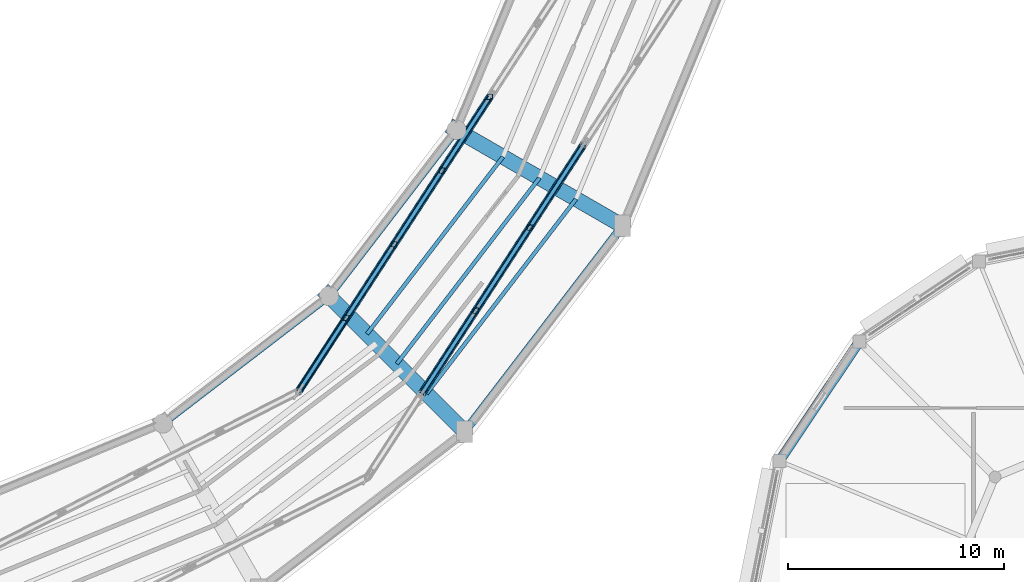
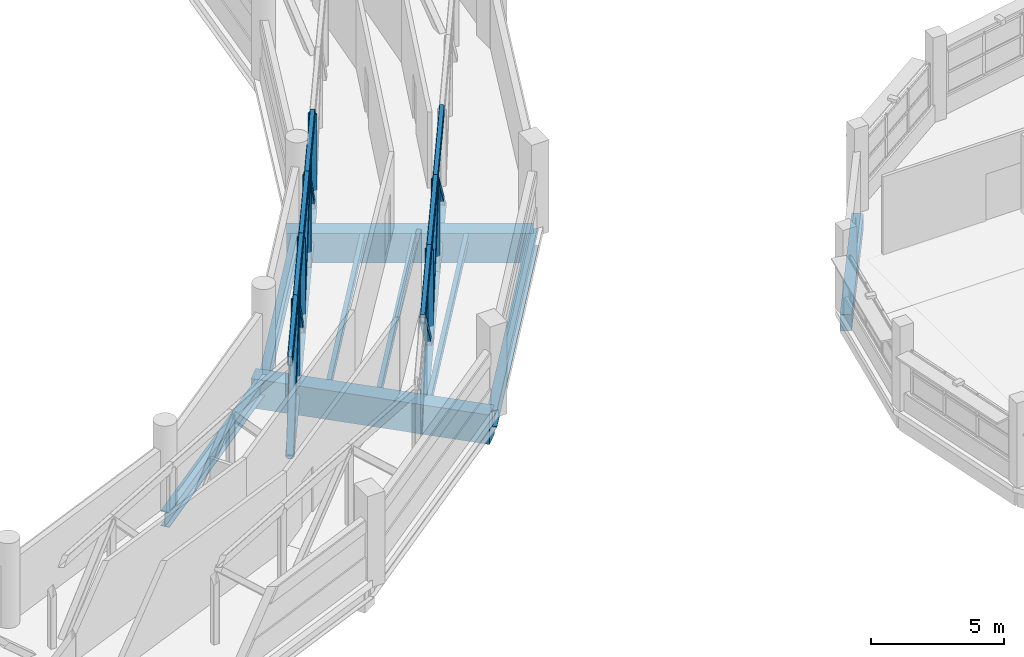
# One storey, part 33 of 121: 27 members, 9 beams.
"""IFC4 building model written with IfcOpenShell, lengths in metres."""

from ifc_helpers import new_model, si_unit, direction, frame, origin, origin_2d, place, context, subcontext, project, spatial, rectangle, hollow_rectangle, hollow_circle, i_section, extrude, material, material_profile, profile_set, type_object, element, save


model = new_model("IFC4")

# Units and contexts
model_context = context("Model", 3, precision=1e-05, world=origin(), true_north=direction((0.0, 1.0)))
body_context = subcontext(model_context, "Body", "Model", "MODEL_VIEW")
ifc_project = project(units=[si_unit("LENGTHUNIT", "METRE"), si_unit("AREAUNIT", "SQUARE_METRE"), si_unit("VOLUMEUNIT", "CUBIC_METRE"), si_unit("PLANEANGLEUNIT", "RADIAN"), si_unit("MASSUNIT", "GRAM", prefix="KILO")], contexts=[model_context])

# Site, building, storey
site_placement = place(None, origin())
site = spatial("IfcSite", under=ifc_project, at=site_placement, CompositionType="ELEMENT")
building_placement = place(site_placement, origin())
building = spatial("IfcBuilding", under=site, at=building_placement, Name="Vespera Passage Community Centre", CompositionType="ELEMENT")
storey_placement = place(building_placement, frame((0.0, 0.0, 8.699951171875)))
storey = spatial("IfcBuildingStorey", under=building, at=storey_placement, Name="L02", CompositionType="ELEMENT", Elevation=8.699951171875)

# Members
ifc_material_1 = material(Name="Steel ASTM A500 Grade C", Category="steel")
ifc_material_profile_1 = material_profile(ifc_material_1, hollow_circle(Radius=0.177734375, WallThickness=0.014892578125, at=origin_2d()), Name="CHS356X15.9")
ifc_profile_set_1 = profile_set([ifc_material_profile_1], Name="Steel ASTM A500 Grade C")
member_type_1 = type_object("IfcMemberType", Name="BC-356", PredefinedType="CHORD", material=ifc_profile_set_1)
member_1_placement = place(storey_placement, frame((108.60400390625, 34.65771484375, -0.849853515625), z_axis=(0.544639387296, 0.838670339171, 0.0), x_axis=(-0.838670339171, 0.544639387296, 0.0)))
element("IfcMember", 1, at=member_1_placement, inside=storey, type_object=member_type_1, Name="BC-356 Transfer Truss Chord TR1O.2", PredefinedType="CHORD", context=body_context, shape_type="SweptSolid", body=[
    extrude(hollow_circle(Radius=0.177734375, WallThickness=0.014892578125, at=origin_2d()), origin(), (0.0, 0.0, 1.0), 4.59912109375),
])
member_2_placement = place(storey_placement, frame((111.10888671875, 38.514892578125, -0.849853515625), z_axis=(0.544676723093, 0.838646091818, 0.0), x_axis=(-0.838646091818, 0.544676723093, 0.0)))
element("IfcMember", 2, at=member_2_placement, inside=storey, type_object=member_type_1, Name="BC-356 Transfer Truss Chord TR1O.3", PredefinedType="CHORD", context=body_context, shape_type="SweptSolid", body=[
    extrude(hollow_circle(Radius=0.177734375, WallThickness=0.014892578125, at=origin_2d()), origin(), (0.0, 0.0, 1.0), 4.599365234375),
])
member_3_placement = place(storey_placement, frame((113.614013671875, 42.3720703125, -0.849853515625), z_axis=(0.544639387296, 0.838670339171, 0.0), x_axis=(-0.838670339171, 0.544639387296, 0.0)))
element("IfcMember", 3, at=member_3_placement, inside=storey, type_object=member_type_1, Name="BC-356 Transfer Truss Chord TR1O.4", PredefinedType="CHORD", context=body_context, shape_type="SweptSolid", body=[
    extrude(hollow_circle(Radius=0.177734375, WallThickness=0.014892578125, at=origin_2d()), origin(), (0.0, 0.0, 1.0), 4.59912109375),
])
member_4_placement = place(storey_placement, frame((102.8896484375, 34.763916015625, -0.849853515625), z_axis=(0.544647050016, 0.838665362888, 0.0), x_axis=(-0.838665362888, 0.544647050016, 0.0)))
element("IfcMember", 4, at=member_4_placement, inside=storey, type_object=member_type_1, Name="BC-356 Transfer Truss Chord TR1I.1", PredefinedType="CHORD", context=body_context, shape_type="SweptSolid", body=[
    extrude(hollow_circle(Radius=0.177734375, WallThickness=0.014892578125, at=origin_2d()), origin(), (0.0, 0.0, 1.0), 4.07373046875),
])
for number, where, z_axis, x_axis, name in (
    (5, (105.1083984375, 38.180419921875, -0.849853515625), (0.544619676318, 0.838683139313, 0.0), (-0.838683139313, 0.544619676318, 0.0), "BC-356 Transfer Truss Chord TR1I.2"),
    (6, (107.3271484375, 41.59716796875, -0.849853515625), (0.544619676318, 0.838683139313, 0.0), (-0.838683139313, 0.544619676318, 0.0), "BC-356 Transfer Truss Chord TR1I.3"),
    (7, (109.5458984375, 45.013916015625, -0.849853515625), (0.544689200541, 0.838637987939, 0.0), (-0.838637987939, 0.544689200541, 0.0), "BC-356 Transfer Truss Chord TR1I.4"),
):
    element("IfcMember", number, at=place(storey_placement, frame(where, z_axis=z_axis, x_axis=x_axis)), inside=storey, type_object=member_type_1, Name=name, PredefinedType="CHORD", context=body_context, shape_type="SweptSolid", body=[
        extrude(hollow_circle(Radius=0.177734375, WallThickness=0.014892578125, at=origin_2d()), origin(), (0.0, 0.0, 1.0), 4.073974609375),
    ])

# Beams
ifc_material_2 = material(Name="Steel ASTM A992 Grade 50", Category="steel")
ifc_material_profile_2 = material_profile(ifc_material_2, i_section(OverallWidth=0.180908203125, OverallDepth=0.417236328125, WebThickness=0.010986328125, FlangeThickness=0.018310546875, FilletRadius=0.01025390625, at=origin_2d()), Name="W16X57")
ifc_profile_set_2 = profile_set([ifc_material_profile_2], Name="Steel ASTM A992 Grade 50")
beam_type_1 = type_object("IfcBeamType", Name="BM-J-W16X57", PredefinedType="JOIST", material=ifc_profile_set_2)
beam_1_placement = place(storey_placement, frame((106.06640625, 37.43359375, -0.548583984375), z_axis=(0.608766367214, 0.793349551049, 0.0), x_axis=(-0.793349551049, 0.608766367214, 0.0)))
element("IfcBeam", 8, at=beam_1_placement, inside=storey, type_object=beam_type_1, Name="V4 L02 Floor Joist 21.1", PredefinedType="JOIST", context=body_context, shape_type="SweptSolid", body=[
    extrude(i_section(OverallWidth=0.180908203125, OverallDepth=0.417236328125, WebThickness=0.010986328125, FlangeThickness=0.018310546875, FilletRadius=0.01025390625, at=origin_2d()), origin(), (0.0, 0.0, 1.0), 10.36181640625),
])
beam_2_placement = place(storey_placement, frame((107.450927734375, 36.049072265625, -0.548583984375), z_axis=(0.608772775584, 0.793344633629, 0.0), x_axis=(-0.793344633629, 0.608772775584, 0.0)))
element("IfcBeam", 9, at=beam_2_placement, inside=storey, type_object=beam_type_1, Name="V4 L02 Floor Joist 21.2", PredefinedType="JOIST", context=body_context, shape_type="SweptSolid", body=[
    extrude(i_section(OverallWidth=0.180908203125, OverallDepth=0.417236328125, WebThickness=0.010986328125, FlangeThickness=0.018310546875, FilletRadius=0.01025390625, at=origin_2d()), origin(), (0.0, 0.0, 1.0), 10.873046875),
])
beam_3_placement = place(storey_placement, frame((108.83544921875, 34.66455078125, -0.548583984375), z_axis=(0.608765110442, 0.793350515415, 0.0), x_axis=(-0.793350515415, 0.608765110442, 0.0)))
element("IfcBeam", 10, at=beam_3_placement, inside=storey, type_object=beam_type_1, Name="V4 L02 Floor Joist 21.3", PredefinedType="JOIST", context=body_context, shape_type="SweptSolid", body=[
    extrude(i_section(OverallWidth=0.180908203125, OverallDepth=0.417236328125, WebThickness=0.010986328125, FlangeThickness=0.018310546875, FilletRadius=0.01025390625, at=origin_2d()), origin(), (0.0, 0.0, 1.0), 11.384033203125),
])
ifc_material_3 = material(Name="Concrete f'c 35 MPa", Category="concrete")
ifc_material_profile_3 = material_profile(ifc_material_3, rectangle(XDim=0.449951171875, YDim=0.75, at=origin_2d()), Name="RC450X750")
ifc_profile_set_3 = profile_set([ifc_material_profile_3], Name="Concrete f'c 35 MPa")
beam_type_2 = type_object("IfcBeamType", Name="BM-SP-450X750E", PredefinedType="SPANDREL", material=ifc_profile_set_3)
beam_4_placement = place(storey_placement, frame((128.908447265625, 37.091552734375, -0.614990234375), z_axis=(-0.55556964639, -0.831470004276, 0.0), x_axis=(0.831470004276, -0.55556964639, 0.0)))
element("IfcBeam", 11, at=beam_4_placement, inside=storey, type_object=beam_type_2, Name="V3 L02 Spandrel 7", PredefinedType="SPANDREL", context=body_context, shape_type="SweptSolid", body=[
    extrude(rectangle(XDim=0.449951171875, YDim=0.75, at=origin_2d()), origin(), (0.0, 0.0, 1.0), 6.672119140625),
])
ifc_material_4 = material(Name="Steel ASTM A992 Grade 50", Category="steel")
ifc_material_profile_4 = material_profile(ifc_material_4, i_section(OverallWidth=0.3544921875, OverallDepth=0.695556640625, WebThickness=0.015380859375, FlangeThickness=0.024658203125, FilletRadius=0.01513671875, at=origin_2d()), Name="W27X146")
ifc_profile_set_4 = profile_set([ifc_material_profile_4], Name="Steel ASTM A992 Grade 50")
beam_type_3 = type_object("IfcBeamType", Name="BM-SP-W27X146E", PredefinedType="SPANDREL", material=ifc_profile_set_4)
for number, where, z_axis, x_axis, name in (
    (12, (96.60009765625, 33.283935546875, -0.687744140625), (0.793359869694, 0.60875291963, 0.0), (-0.60875291963, 0.793359869694, 0.0), "V4 L02 Inner Spandrel 20"),
    (13, (104.304443359375, 39.195556640625, -0.687744140625), (0.60875291963, 0.793359869694, 0.0), (-0.793359869694, 0.60875291963, 0.0), "V4 L02 Inner Spandrel 21"),
):
    element("IfcBeam", number, at=place(storey_placement, frame(where, z_axis=z_axis, x_axis=x_axis)), inside=storey, type_object=beam_type_3, Name=name, PredefinedType="SPANDREL", context=body_context, shape_type="SweptSolid", body=[
        extrude(i_section(OverallWidth=0.3544921875, OverallDepth=0.695556640625, WebThickness=0.015380859375, FlangeThickness=0.024658203125, FilletRadius=0.01513671875, at=origin_2d()), origin(), (0.0, 0.0, 1.0), 9.7109375),
    ])
ifc_material_5 = material(Name="Steel ASTM A992 Grade 50", Category="steel")
ifc_material_profile_5 = material_profile(ifc_material_5, i_section(OverallWidth=0.382080078125, OverallDepth=0.779296875, WebThickness=0.01806640625, FlangeThickness=0.030029296875, FilletRadius=0.0166015625, at=origin_2d()), Name="W30X191")
ifc_profile_set_5 = profile_set([ifc_material_profile_5], Name="Steel ASTM A992 Grade 50")
beam_type_4 = type_object("IfcBeamType", Name="BM-SP-W30X191E", PredefinedType="SPANDREL", material=ifc_profile_set_5)
beam_5_placement = place(storey_placement, frame((110.59765625, 32.90234375, -0.729736328125), z_axis=(0.608763261066, 0.793351934501, 0.0), x_axis=(-0.793351934501, 0.608763261066, 0.0)))
element("IfcBeam", 14, at=beam_5_placement, inside=storey, type_object=beam_type_4, Name="V4 L02 Outer Spandrel 21", PredefinedType="SPANDREL", context=body_context, shape_type="SweptSolid", body=[
    extrude(i_section(OverallWidth=0.382080078125, OverallDepth=0.779296875, WebThickness=0.01806640625, FlangeThickness=0.030029296875, FilletRadius=0.0166015625, at=origin_2d()), origin(), (0.0, 0.0, 1.0), 12.034423828125),
])

# Members
ifc_material_6 = material(Name="Steel ASTM A500 Grade C", Category="steel")
ifc_material_profile_6 = material_profile(ifc_material_6, hollow_rectangle(XDim=0.203125, YDim=0.406494140625, WallThickness=0.014892578125, InnerFilletRadius=0.014892578125, OuterFilletRadius=0.029541015625, at=origin_2d()), Name="HSS406X203X15.9")
ifc_profile_set_6 = profile_set([ifc_material_profile_6], Name="Steel ASTM A500 Grade C")
member_type_2 = type_object("IfcMemberType", Name="TC-406", PredefinedType="CHORD", material=ifc_profile_set_6)
member_5_placement = place(storey_placement, frame((108.60400390625, 34.65771484375, 3.47998046875), z_axis=(0.544639387296, 0.838670339171, 0.0), x_axis=(-0.838670339171, 0.544639387296, 0.0)))
element("IfcMember", 15, at=member_5_placement, inside=storey, type_object=member_type_2, Name="TC-406 Transfer Truss Chord TR1O.2", PredefinedType="CHORD", context=body_context, shape_type="SweptSolid", body=[
    extrude(hollow_rectangle(XDim=0.203125, YDim=0.406494140625, WallThickness=0.014892578125, InnerFilletRadius=0.014892578125, OuterFilletRadius=0.029541015625, at=origin_2d()), origin(), (0.0, 0.0, 1.0), 4.59912109375),
])
member_6_placement = place(storey_placement, frame((111.10888671875, 38.514892578125, 3.47998046875), z_axis=(0.544676723093, 0.838646091818, 0.0), x_axis=(-0.838646091818, 0.544676723093, 0.0)))
element("IfcMember", 16, at=member_6_placement, inside=storey, type_object=member_type_2, Name="TC-406 Transfer Truss Chord TR1O.3", PredefinedType="CHORD", context=body_context, shape_type="SweptSolid", body=[
    extrude(hollow_rectangle(XDim=0.203125, YDim=0.406494140625, WallThickness=0.014892578125, InnerFilletRadius=0.014892578125, OuterFilletRadius=0.029541015625, at=origin_2d()), origin(), (0.0, 0.0, 1.0), 4.599365234375),
])
member_7_placement = place(storey_placement, frame((113.614013671875, 42.3720703125, 3.47998046875), z_axis=(0.544639387296, 0.838670339171, 0.0), x_axis=(-0.838670339171, 0.544639387296, 0.0)))
element("IfcMember", 17, at=member_7_placement, inside=storey, type_object=member_type_2, Name="TC-406 Transfer Truss Chord TR1O.4", PredefinedType="CHORD", context=body_context, shape_type="SweptSolid", body=[
    extrude(hollow_rectangle(XDim=0.203125, YDim=0.406494140625, WallThickness=0.014892578125, InnerFilletRadius=0.014892578125, OuterFilletRadius=0.029541015625, at=origin_2d()), origin(), (0.0, 0.0, 1.0), 4.59912109375),
])
member_8_placement = place(storey_placement, frame((102.8896484375, 34.763916015625, 3.47998046875), z_axis=(0.544647050016, 0.838665362888, 0.0), x_axis=(-0.838665362888, 0.544647050016, 0.0)))
element("IfcMember", 18, at=member_8_placement, inside=storey, type_object=member_type_2, Name="TC-406 Transfer Truss Chord TR1I.1", PredefinedType="CHORD", context=body_context, shape_type="SweptSolid", body=[
    extrude(hollow_rectangle(XDim=0.203125, YDim=0.406494140625, WallThickness=0.014892578125, InnerFilletRadius=0.014892578125, OuterFilletRadius=0.029541015625, at=origin_2d()), origin(), (0.0, 0.0, 1.0), 4.07373046875),
])
for number, where, z_axis, x_axis, name in (
    (19, (105.1083984375, 38.180419921875, 3.47998046875), (0.544619676318, 0.838683139313, 0.0), (-0.838683139313, 0.544619676318, 0.0), "TC-406 Transfer Truss Chord TR1I.2"),
    (20, (107.3271484375, 41.59716796875, 3.47998046875), (0.544619676318, 0.838683139313, 0.0), (-0.838683139313, 0.544619676318, 0.0), "TC-406 Transfer Truss Chord TR1I.3"),
    (21, (109.5458984375, 45.013916015625, 3.47998046875), (0.544689200541, 0.838637987939, 0.0), (-0.838637987939, 0.544689200541, 0.0), "TC-406 Transfer Truss Chord TR1I.4"),
):
    element("IfcMember", number, at=place(storey_placement, frame(where, z_axis=z_axis, x_axis=x_axis)), inside=storey, type_object=member_type_2, Name=name, PredefinedType="CHORD", context=body_context, shape_type="SweptSolid", body=[
        extrude(hollow_rectangle(XDim=0.203125, YDim=0.406494140625, WallThickness=0.014892578125, InnerFilletRadius=0.014892578125, OuterFilletRadius=0.029541015625, at=origin_2d()), origin(), (0.0, 0.0, 1.0), 4.073974609375),
    ])
ifc_material_7 = material(Name="Steel ASTM A500 Grade C", Category="steel")
ifc_material_profile_7 = material_profile(ifc_material_7, hollow_rectangle(XDim=0.25390625, YDim=0.25390625, WallThickness=0.01171875, InnerFilletRadius=0.01171875, OuterFilletRadius=0.023681640625, at=origin_2d()), Name="HSS254X254X12.7")
ifc_profile_set_7 = profile_set([ifc_material_profile_7], Name="Steel ASTM A500 Grade C")
member_type_3 = type_object("IfcMemberType", Name="TD-254", PredefinedType="BRACE", material=ifc_profile_set_7)
for number, where, z_axis, x_axis, name in (
    (22, (108.60400390625, 34.65771484375, 3.47998046875), (0.396554138971, 0.610639263314, -0.685466633006), (-0.838670339171, 0.544639387296, 0.0), "TD-254 Transfer Truss Diagonal TR1O.2"),
    (23, (111.10888671875, 38.514892578125, -0.849853515625), (0.396586710731, 0.610629903795, 0.685456126578), (-0.838646091818, 0.544676723093, 0.0), "TD-254 Transfer Truss Diagonal TR1O.3"),
    (24, (113.614013671875, 42.3720703125, 3.47998046875), (0.396554138971, 0.610639263314, -0.685466633006), (-0.838670339171, 0.544639387296, 0.0), "TD-254 Transfer Truss Diagonal TR1O.4"),
):
    element("IfcMember", number, at=place(storey_placement, frame(where, z_axis=z_axis, x_axis=x_axis)), inside=storey, type_object=member_type_3, Name=name, PredefinedType="BRACE", context=body_context, shape_type="SweptSolid", body=[
        extrude(hollow_rectangle(XDim=0.25390625, YDim=0.25390625, WallThickness=0.01171875, InnerFilletRadius=0.01171875, OuterFilletRadius=0.023681640625, at=origin_2d()), origin(), (0.0, 0.0, 1.0), 6.316650390625),
    ])
for number, where, z_axis, x_axis, name in (
    (25, (105.1083984375, 38.180419921875, 3.47998046875), (0.373205096023, 0.57471449371, -0.728300217645), (-0.838683139313, 0.544619676318, 0.0), "TD-254 Transfer Truss Diagonal TR1I.2"),
    (26, (107.3271484375, 41.59716796875, -0.849853515625), (0.373205096023, 0.57471449371, 0.728300217645), (-0.838683139313, 0.544619676318, 0.0), "TD-254 Transfer Truss Diagonal TR1I.3"),
    (27, (109.5458984375, 45.013916015625, 3.47998046875), (0.373249249792, 0.574678182593, -0.728306243267), (-0.838637987939, 0.544689200541, 0.0), "TD-254 Transfer Truss Diagonal TR1I.4"),
):
    element("IfcMember", number, at=place(storey_placement, frame(where, z_axis=z_axis, x_axis=x_axis)), inside=storey, type_object=member_type_3, Name=name, PredefinedType="BRACE", context=body_context, shape_type="SweptSolid", body=[
        extrude(hollow_rectangle(XDim=0.25390625, YDim=0.25390625, WallThickness=0.01171875, InnerFilletRadius=0.01171875, OuterFilletRadius=0.023681640625, at=origin_2d()), origin(), (0.0, 0.0, 1.0), 5.945068359375),
    ])
ifc_material_8 = material(Name="Steel ASTM A500 Grade C", Category="steel")
ifc_material_profile_8 = material_profile(ifc_material_8, hollow_rectangle(XDim=0.3046875, YDim=0.3046875, WallThickness=0.014892578125, InnerFilletRadius=0.014892578125, OuterFilletRadius=0.029541015625, at=origin_2d()), Name="HSS305X305X15.9")
ifc_profile_set_8 = profile_set([ifc_material_profile_8], Name="Steel ASTM A500 Grade C")
member_type_4 = type_object("IfcMemberType", Name="TD-305", PredefinedType="BRACE", material=ifc_profile_set_8)
member_9_placement = place(storey_placement, frame((102.8896484375, 34.763916015625, -0.849853515625), z_axis=(0.373213904053, 0.574686990903, 0.728317406292), x_axis=(-0.838665362888, 0.544647050016, 0.0)))
element("IfcMember", 28, at=member_9_placement, inside=storey, type_object=member_type_4, Name="TD-305 Transfer Truss Diagonal TR1I.1", PredefinedType="BRACE", context=body_context, shape_type="SweptSolid", body=[
    extrude(hollow_rectangle(XDim=0.3046875, YDim=0.3046875, WallThickness=0.014892578125, InnerFilletRadius=0.014892578125, OuterFilletRadius=0.029541015625, at=origin_2d()), origin(), (0.0, 0.0, 1.0), 5.945068359375),
])

# Beams
ifc_material_9 = material(Name="Concrete f'c 45 MPa", Category="concrete")
ifc_material_profile_9 = material_profile(ifc_material_9, rectangle(XDim=0.699951171875, YDim=1.35009765625, at=origin_2d()), Name="RC700X1350")
ifc_profile_set_9 = profile_set([ifc_material_profile_9], Name="Concrete f'c 45 MPa")
beam_type_5 = type_object("IfcBeamType", Name="TG-1350", PredefinedType="USERDEFINED", material=ifc_profile_set_9)
beam_6_placement = place(storey_placement, frame((104.021484375, 39.478515625, -1.014892578125), z_axis=(0.707106781187, -0.707106781187, 0.0), x_axis=(0.707106781187, 0.707106781187, 0.0)))
element("IfcBeam", 29, at=beam_6_placement, inside=storey, type_object=beam_type_5, Name="V4 L02 Radial Transfer Girder 21", ObjectType="TRANSFER GIRDER", PredefinedType="USERDEFINED", context=body_context, shape_type="SweptSolid", body=[
    extrude(rectangle(XDim=0.699951171875, YDim=1.35009765625, at=origin_2d()), origin(), (0.0, 0.0, 1.0), 9.300048828125),
])
beam_7_placement = place(storey_placement, frame((109.86962890625, 47.10009765625, -1.014892578125), z_axis=(0.866022964185, -0.500004225487, 0.0), x_axis=(0.500004225487, 0.866022964185, 0.0)))
element("IfcBeam", 30, at=beam_7_placement, inside=storey, type_object=beam_type_5, Name="V4 L02 Radial Transfer Girder 22", ObjectType="TRANSFER GIRDER", PredefinedType="USERDEFINED", context=body_context, shape_type="SweptSolid", body=[
    extrude(rectangle(XDim=0.699951171875, YDim=1.35009765625, at=origin_2d()), origin(), (0.0, 0.0, 1.0), 9.30029296875),
])

# Members
ifc_material_10 = material(Name="Steel ASTM A500 Grade C", Category="steel")
ifc_material_profile_10 = material_profile(ifc_material_10, hollow_rectangle(XDim=0.25390625, YDim=0.25390625, WallThickness=0.01171875, InnerFilletRadius=0.01171875, OuterFilletRadius=0.023681640625, at=origin_2d()), Name="HSS254X254X12.7")
ifc_profile_set_10 = profile_set([ifc_material_profile_10], Name="Steel ASTM A500 Grade C")
member_type_5 = type_object("IfcMemberType", Name="TP-254", PredefinedType="POST", material=ifc_profile_set_10)
for number, where, z_axis, x_axis, name in (
    (31, (111.10888671875, 38.514892578125, -0.849853515625), (0.0, 0.0, 1.0), (1.0, 0.0, 0.0), "Truss TR1O Vertical Post 3"),
    (32, (113.614013671875, 42.3720703125, -0.849853515625), (0.0, 0.0, 1.0), (1.0, 0.0, 0.0), "Truss TR1O Vertical Post 4"),
    (33, (105.1083984375, 38.180419921875, -0.849853515625), (0.0, 0.0, 1.0), (1.0, 0.0, 0.0), "Truss TR1I Vertical Post 2"),
    (34, (107.3271484375, 41.59716796875, -0.849853515625), (0.0, 0.0, 1.0), (1.0, 0.0, 0.0), "Truss TR1I Vertical Post 3"),
    (35, (109.5458984375, 45.013916015625, -0.849853515625), (0.0, 0.0, 1.0), (1.0, 0.0, 0.0), "Truss TR1I Vertical Post 4"),
    (36, (111.764892578125, 48.430419921875, -0.849853515625), (0.0, 0.0, 1.0), (1.0, 0.0, 0.0), "Truss TR1I Vertical Post 5"),
):
    element("IfcMember", number, at=place(storey_placement, frame(where, z_axis=z_axis, x_axis=x_axis)), inside=storey, type_object=member_type_5, Name=name, PredefinedType="POST", context=body_context, shape_type="SweptSolid", body=[
        extrude(hollow_rectangle(XDim=0.25390625, YDim=0.25390625, WallThickness=0.01171875, InnerFilletRadius=0.01171875, OuterFilletRadius=0.023681640625, at=origin_2d()), origin(), (0.0, 0.0, 1.0), 4.329833984375),
    ])

save(model, "model.ifc")
